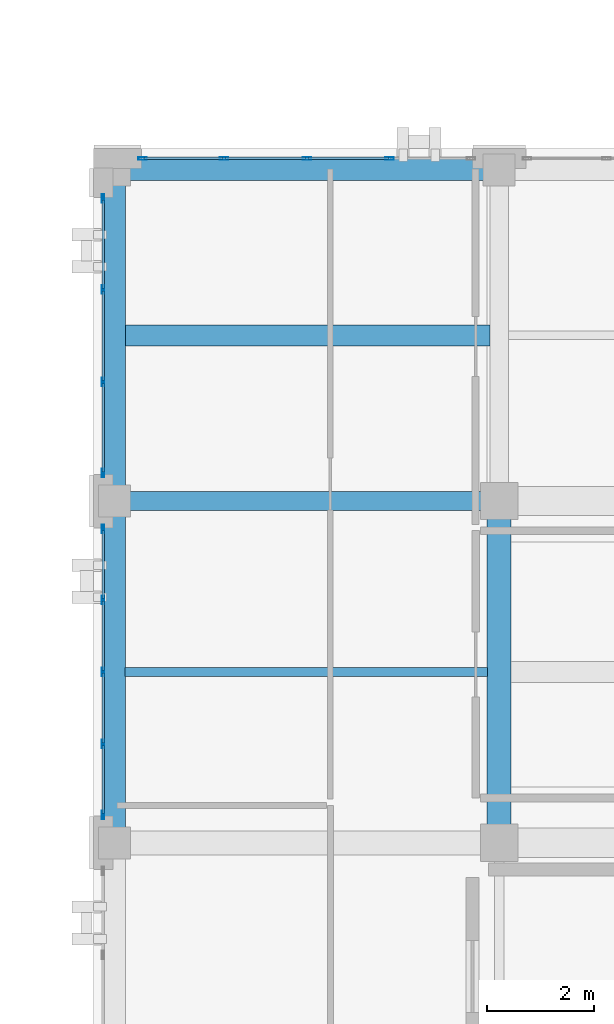
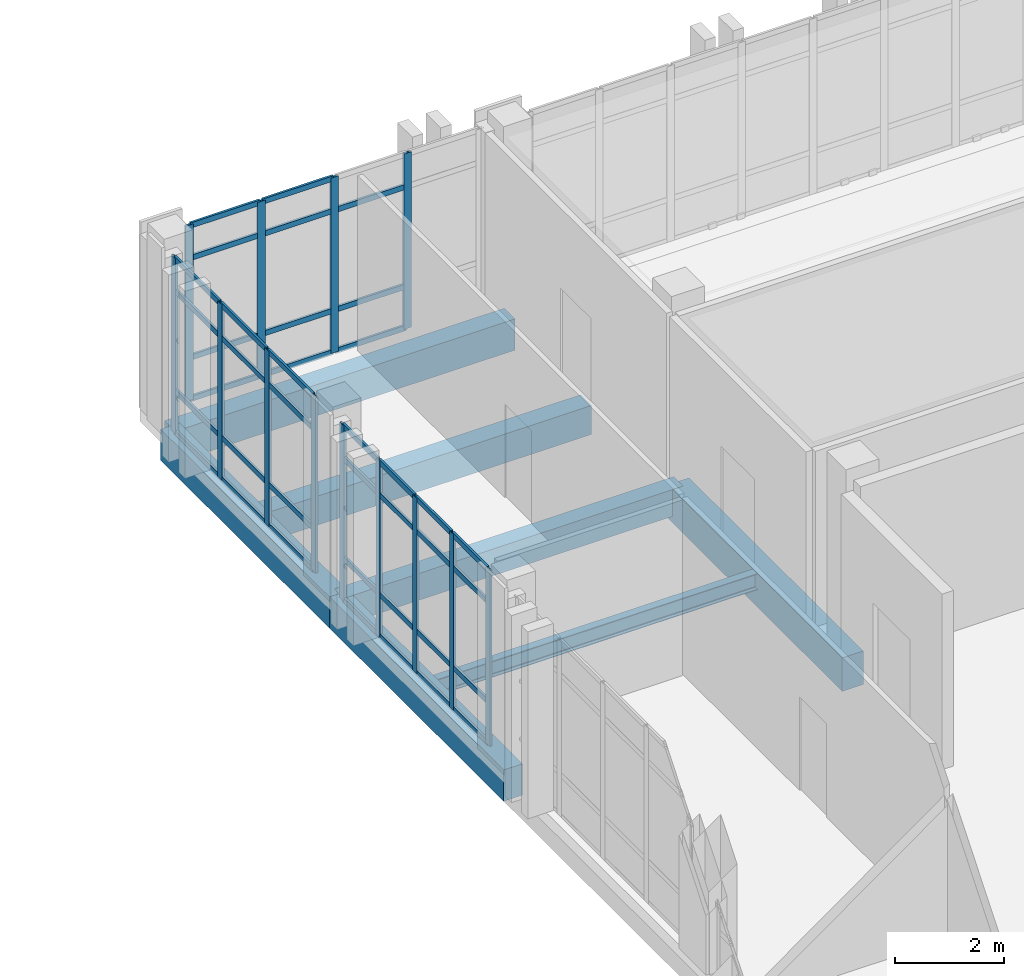
# One storey, part 38 of 77: 52 members, 7 beams, 3 elements without a shape of their own.
"""IFC4 building model written with IfcOpenShell, lengths in metres."""

import ifcopenshell
import ifcopenshell.guid

model = None  # the IFC model being written
_history = None  # IfcOwnerHistory: only IFC2X3 demands one
_inside = {}  # id of a spatial element -> (the spatial element, [elements in it])
_under = {}  # id of a project, library or spatial element -> (it, [spatial elements below it])
_declared = {}  # id of a project -> (the project, [libraries it declares])
_typed = {}  # id of a type object -> (the type object, [elements of that type])
_made_of = {}  # id of a material, layer set ... -> (it, [elements and type objects made of it])


def new_model(schema):
    """Start an empty IFC model of exactly this schema.

    Asked for "IFC4X3", IfcOpenShell would pick the latest addendum, in which some entities
    have other attributes; the version numbers below select the first issue.
    IFC2X3 requires an IfcOwnerHistory on every rooted entity: one is made here for all.
    """
    global model, _history
    if schema == "IFC4X3":
        model = ifcopenshell.file(schema_version=(4, 3, 0, 0))
    else:
        model = ifcopenshell.file(schema=schema)
    _inside.clear()
    _under.clear()
    _declared.clear()
    _typed.clear()
    _made_of.clear()
    _history = None
    if model.schema == "IFC2X3":
        org = make("IfcOrganization", Name="unknown")
        user = make(
            "IfcPersonAndOrganization",
            ThePerson=make("IfcPerson", FamilyName="unknown"),
            TheOrganization=org,
        )
        app = make(
            "IfcApplication",
            ApplicationDeveloper=org,
            Version="unknown",
            ApplicationFullName="unknown",
            ApplicationIdentifier="unknown",
        )
        _history = make(
            "IfcOwnerHistory",
            OwningUser=user,
            OwningApplication=app,
            ChangeAction="ADDED",
            CreationDate=0,
        )
    return model


def make(cls, **values):
    """One entity of the class cls with the attributes given. An attribute that is None is left unset."""
    return model.create_entity(
        cls, **{name: value for name, value in values.items() if value is not None}
    )


def rooted(cls, **values):
    """An entity with a GlobalId (a new one), such as an element, a storey or a relation."""
    return make(cls, GlobalId=ifcopenshell.guid.new(), OwnerHistory=_history, **values)


def si_unit(unit_type, name, prefix=None):
    """IfcSIUnit, for example si_unit("LENGTHUNIT", "METRE", prefix="MILLI")."""
    return make("IfcSIUnit", UnitType=unit_type, Prefix=prefix, Name=name)


def assignment(units):
    """IfcUnitAssignment: the units of a project."""
    return None if units is None else make("IfcUnitAssignment", Units=units)


def point(xyz):
    """IfcCartesianPoint."""
    return None if xyz is None else make("IfcCartesianPoint", Coordinates=xyz)


def direction(xyz):
    """IfcDirection."""
    return None if xyz is None else make("IfcDirection", DirectionRatios=xyz)


def frame(location, z_axis=None, x_axis=None):
    """IfcAxis2Placement3D, a coordinate frame: its origin and axes. An axis left out is left unset."""
    return make(
        "IfcAxis2Placement3D",
        Location=point(location),
        Axis=direction(z_axis),
        RefDirection=direction(x_axis),
    )


def frame_2d(location, x_axis=None):
    """IfcAxis2Placement2D, a coordinate frame in the plane: its origin and x axis."""
    return make(
        "IfcAxis2Placement2D", Location=point(location), RefDirection=direction(x_axis)
    )


def origin():
    """The frame at (0, 0, 0) with its axes left unset."""
    return frame((0.0, 0.0, 0.0))


def origin_2d():
    """The frame at (0, 0) in the plane with its x axis left unset."""
    return frame_2d((0.0, 0.0))


def place(relative_to, where):
    """IfcLocalPlacement: puts the frame where relative to a parent placement (None: the world)."""
    return make(
        "IfcLocalPlacement", PlacementRelTo=relative_to, RelativePlacement=where
    )


def context(
    kind, dimensions, precision=None, world=None, true_north=None, identifier=None
):
    """IfcGeometricRepresentationContext, for example the 3D "Model" context."""
    return make(
        "IfcGeometricRepresentationContext",
        ContextIdentifier=identifier,
        ContextType=kind,
        CoordinateSpaceDimension=dimensions,
        Precision=precision,
        WorldCoordinateSystem=world,
        TrueNorth=true_north,
    )


def subcontext(parent, identifier, kind, view, scale=None):
    """IfcGeometricRepresentationSubContext, for example "Body" below "Model"."""
    return make(
        "IfcGeometricRepresentationSubContext",
        ContextIdentifier=identifier,
        ContextType=kind,
        ParentContext=parent,
        TargetScale=scale,
        TargetView=view,
    )


def project(units=None, contexts=None):
    """IfcProject with its units and contexts."""
    return rooted(
        "IfcProject",
        Name="project",
        RepresentationContexts=contexts,
        UnitsInContext=assignment(units),
    )


def spatial(cls, under=None, at=None, **own):
    """A site, building, storey or space (cls), placed at a placement, below another one or the project."""
    s = rooted(cls, ObjectPlacement=at, **own)
    if under is not None:
        _under.setdefault(under.id(), (under, []))[1].append(s)
    return s


def profile(cls, at=None, kind="AREA", **sizes):
    """A parametric profile (cls). Its sizes go by their IFC names, for example OverallWidth=200.0."""
    return make(cls, ProfileType=kind, Position=at, **sizes)


def rectangle(**sizes):
    """IfcRectangleProfileDef."""
    return profile("IfcRectangleProfileDef", **sizes)


def hollow_rectangle(**sizes):
    """IfcRectangleHollowProfileDef."""
    return profile("IfcRectangleHollowProfileDef", **sizes)


def i_section(**sizes):
    """IfcIShapeProfileDef."""
    return profile("IfcIShapeProfileDef", **sizes)


def extrude(swept, where, along, depth):
    """IfcExtrudedAreaSolid: the profile swept, set in the frame where, extruded along a direction by depth."""
    return make(
        "IfcExtrudedAreaSolid",
        SweptArea=swept,
        Position=where,
        ExtrudedDirection=direction(along),
        Depth=depth,
    )


def shape(context_of_items, identifier, shape_type, items):
    """IfcShapeRepresentation: the items that make up one representation, for example the "Body"."""
    return make(
        "IfcShapeRepresentation",
        ContextOfItems=context_of_items,
        RepresentationIdentifier=identifier,
        RepresentationType=shape_type,
        Items=items,
    )


def material(Name=None, Category=None):
    """IfcMaterial."""
    return make("IfcMaterial", Name=Name, Category=Category)


def layer(
    of_material, thickness, ventilated=None, Name=None, Category=None, Priority=None
):
    """IfcMaterialLayer: one layer of a wall or slab, of a material (None: an air gap)."""
    return make(
        "IfcMaterialLayer",
        Material=of_material,
        LayerThickness=thickness,
        IsVentilated=ventilated,
        Name=Name,
        Category=Category,
        Priority=Priority,
    )


def layer_set(layers, Name=None):
    """IfcMaterialLayerSet."""
    return make("IfcMaterialLayerSet", MaterialLayers=layers, LayerSetName=Name)


def material_profile(
    of_material, cross_section, Name=None, Category=None, Priority=None
):
    """IfcMaterialProfile: a cross section and its material."""
    return make(
        "IfcMaterialProfile",
        Name=Name,
        Material=of_material,
        Profile=cross_section,
        Priority=Priority,
        Category=Category,
    )


def profile_set(profiles, Name=None, composite=None):
    """IfcMaterialProfileSet."""
    return make(
        "IfcMaterialProfileSet",
        Name=Name,
        MaterialProfiles=profiles,
        CompositeProfile=composite,
    )


def made_of(thing, what):
    """Note that an element or type object is made of a material, layer set ...; save() writes the relation."""
    if what is not None:
        _made_of.setdefault(what.id(), (what, []))[1].append(thing)
    return thing


def type_object(cls, material=None, **own):
    """A type object (cls), such as IfcWallType, which elements share."""
    return made_of(rooted(cls, **own), material)


def element(
    cls,
    number,
    at=None,
    inside=None,
    cuts=None,
    type_object=None,
    material=None,
    context=None,
    identifier="Body",
    shape_type=None,
    held_by="IfcProductDefinitionShape",
    body=None,
    shapes=None,
    **own,
):
    """One element of the class cls, such as IfcWall. Its Tag is "e" and its number.

    at: its placement. inside: the storey or other place that contains it. cuts: it is an
    opening in that element (IfcRelVoidsElement). A single representation is given by context,
    identifier, shape_type and body (its items); several are given by shapes. held_by: the class
    of the entity that holds the representations. save() writes the other relations.
    """
    e = rooted(cls, Tag="e%d" % number, ObjectPlacement=at, **own)
    if body is not None:
        shapes = [shape(context, identifier, shape_type, body)]
    if shapes is not None:
        e.Representation = make(held_by, Representations=shapes)
    if inside is not None:
        _inside.setdefault(inside.id(), (inside, []))[1].append(e)
    if cuts is not None:
        rooted(
            "IfcRelVoidsElement", RelatingBuildingElement=cuts, RelatedOpeningElement=e
        )
    if type_object is not None:
        _typed.setdefault(type_object.id(), (type_object, []))[1].append(e)
    return made_of(e, material)


def aggregate(whole, parts):
    """IfcRelAggregates: a whole, such as a stair, and the parts it consists of."""
    return rooted("IfcRelAggregates", RelatingObject=whole, RelatedObjects=parts)


def save(model, path):
    """Write the relations noted so far, then the file.

    IfcRelAggregates (storeys below a building ...), IfcRelContainedInSpatialStructure (elements
    in a storey), IfcRelDefinesByType, IfcRelAssociatesMaterial and IfcRelDeclares: one each for
    every whole, place, type object, material and project.
    """
    for whole, parts in _under.values():
        aggregate(whole, parts)
    for where, things in _inside.values():
        rooted(
            "IfcRelContainedInSpatialStructure",
            RelatedElements=things,
            RelatingStructure=where,
        )
    for kind, things in _typed.values():
        rooted("IfcRelDefinesByType", RelatedObjects=things, RelatingType=kind)
    for what, things in _made_of.values():
        rooted("IfcRelAssociatesMaterial", RelatedObjects=things, RelatingMaterial=what)
    for by, libraries in _declared.values():
        rooted("IfcRelDeclares", RelatingContext=by, RelatedDefinitions=libraries)
    model.write(path)


model = new_model("IFC4")

# Units and contexts
model_context = context("Model", 3, precision=1e-05, world=origin(), true_north=direction((0.0, 1.0)))
body_context = subcontext(model_context, "Body", "Model", "MODEL_VIEW")
ifc_project = project(units=[si_unit("LENGTHUNIT", "METRE"), si_unit("AREAUNIT", "SQUARE_METRE"), si_unit("VOLUMEUNIT", "CUBIC_METRE"), si_unit("PLANEANGLEUNIT", "RADIAN"), si_unit("MASSUNIT", "GRAM", prefix="KILO")], contexts=[model_context])

# Site, building, storey
site_placement = place(None, origin())
site = spatial("IfcSite", under=ifc_project, at=site_placement, CompositionType="ELEMENT")
building_placement = place(site_placement, origin())
building = spatial("IfcBuilding", under=site, at=building_placement, Name="Qalavern Law Courts", CompositionType="ELEMENT")
storey_placement = place(building_placement, frame((0.0, 0.0, 27.0)))
storey = spatial("IfcBuildingStorey", under=building, at=storey_placement, Name="L06", CompositionType="ELEMENT", Elevation=27.0)

# Curtain wall, members
ifc_material_1 = material(Name="Anodised aluminium and insulated glazing", Category="aluminium")
ifc_layer = layer(ifc_material_1, 0.159912109375)
ifc_layer_set = layer_set([ifc_layer], Name="Anodised aluminium and insulated glazing")
curtain_wall_type = type_object("IfcCurtainWallType", Name="ENV-CW-CHAMB", PredefinedType="USERDEFINED", material=ifc_layer_set)
curtain_wall_1_placement = place(storey_placement, origin())
curtain_wall_1 = element("IfcCurtainWall", 1, at=curtain_wall_1_placement, inside=storey, type_object=curtain_wall_type, Name="V4 unitised curtain wall L06 north 2", ObjectType="UNITISED CURTAIN WALL", PredefinedType="USERDEFINED")
ifc_material_2 = material(Name="Anodised aluminium", Category="aluminium")
ifc_material_profile_1 = material_profile(ifc_material_2, hollow_rectangle(XDim=0.048095703125, YDim=0.159912109375, WallThickness=0.00390625, at=origin_2d()), Name="ALU MULLION 48x160")
ifc_profile_set_1 = profile_set([ifc_material_profile_1], Name="Anodised aluminium")
member_type_1 = type_object("IfcMemberType", Name="ENV-CWM-48x160", PredefinedType="MULLION", material=ifc_profile_set_1)
member_1_placement = place(storey_placement, frame((89.75, 85.614990234375, 0.0), z_axis=(0.0, 0.0, 1.0), x_axis=(0.0, -1.0, 0.0)))
member_1 = element("IfcMember", 2, at=member_1_placement, type_object=member_type_1, Name="CW-04 mullion 2", PredefinedType="MULLION", context=body_context, shape_type="SweptSolid", body=[
    extrude(hollow_rectangle(XDim=0.048095703125, YDim=0.159912109375, WallThickness=0.00390625, at=origin_2d()), origin(), (0.0, 0.0, 1.0), 3.93505859375),
])
member_2_placement = place(storey_placement, frame((88.199951171875, 85.614990234375, 0.0), z_axis=(0.0, 0.0, 1.0), x_axis=(0.0, -1.0, 0.0)))
member_2 = element("IfcMember", 3, at=member_2_placement, type_object=member_type_1, Name="CW-04 mullion 3", PredefinedType="MULLION", context=body_context, shape_type="SweptSolid", body=[
    extrude(hollow_rectangle(XDim=0.048095703125, YDim=0.159912109375, WallThickness=0.00390625, at=origin_2d()), origin(), (0.0, 0.0, 1.0), 3.93505859375),
])
member_3_placement = place(storey_placement, frame((86.64990234375, 85.614990234375, 0.0), z_axis=(0.0, 0.0, 1.0), x_axis=(0.0, -1.0, 0.0)))
member_3 = element("IfcMember", 4, at=member_3_placement, type_object=member_type_1, Name="CW-04 mullion 4", PredefinedType="MULLION", context=body_context, shape_type="SweptSolid", body=[
    extrude(hollow_rectangle(XDim=0.048095703125, YDim=0.159912109375, WallThickness=0.00390625, at=origin_2d()), origin(), (0.0, 0.0, 1.0), 3.93505859375),
])
member_4_placement = place(storey_placement, frame((85.1240234375, 85.614990234375, 0.0), z_axis=(0.0, 0.0, 1.0), x_axis=(0.0, -1.0, 0.0)))
member_4 = element("IfcMember", 5, at=member_4_placement, type_object=member_type_1, Name="CW-04 mullion 5", PredefinedType="MULLION", context=body_context, shape_type="SweptSolid", body=[
    extrude(hollow_rectangle(XDim=0.048095703125, YDim=0.159912109375, WallThickness=0.00390625, at=origin_2d()), origin(), (0.0, 0.0, 1.0), 3.93505859375),
])

curtain_wall_2_placement = place(storey_placement, origin())
curtain_wall_2 = element("IfcCurtainWall", 6, at=curtain_wall_2_placement, inside=storey, type_object=curtain_wall_type, Name="V4 unitised curtain wall L06 west 1", ObjectType="UNITISED CURTAIN WALL", PredefinedType="USERDEFINED")
member_5_placement = place(storey_placement, frame((84.385009765625, 84.861083984375, 0.0), z_axis=(0.0, 0.0, 1.0), x_axis=(1.0, 0.0, 0.0)))
member_5 = element("IfcMember", 7, at=member_5_placement, type_object=member_type_1, Name="CW-04 mullion 1", PredefinedType="MULLION", context=body_context, shape_type="SweptSolid", body=[
    extrude(hollow_rectangle(XDim=0.048095703125, YDim=0.159912109375, WallThickness=0.00390625, at=origin_2d()), origin(), (0.0, 0.0, 1.0), 3.93505859375),
])
member_6_placement = place(storey_placement, frame((84.385009765625, 83.15673828125, 0.0), z_axis=(0.0, 0.0, 1.0), x_axis=(1.0, 0.0, 0.0)))
member_6 = element("IfcMember", 8, at=member_6_placement, type_object=member_type_1, Name="CW-04 mullion 2", PredefinedType="MULLION", context=body_context, shape_type="SweptSolid", body=[
    extrude(hollow_rectangle(XDim=0.048095703125, YDim=0.159912109375, WallThickness=0.00390625, at=origin_2d()), origin(), (0.0, 0.0, 1.0), 3.93505859375),
])
member_7_placement = place(storey_placement, frame((84.385009765625, 81.42822265625, 0.0), z_axis=(0.0, 0.0, 1.0), x_axis=(1.0, 0.0, 0.0)))
member_7 = element("IfcMember", 9, at=member_7_placement, type_object=member_type_1, Name="CW-04 mullion 3", PredefinedType="MULLION", context=body_context, shape_type="SweptSolid", body=[
    extrude(hollow_rectangle(XDim=0.048095703125, YDim=0.159912109375, WallThickness=0.00390625, at=origin_2d()), origin(), (0.0, 0.0, 1.0), 3.93505859375),
])
member_8_placement = place(storey_placement, frame((84.385009765625, 79.72412109375, 0.0), z_axis=(0.0, 0.0, 1.0), x_axis=(1.0, 0.0, 0.0)))
member_8 = element("IfcMember", 10, at=member_8_placement, type_object=member_type_1, Name="CW-04 mullion 4", PredefinedType="MULLION", context=body_context, shape_type="SweptSolid", body=[
    extrude(hollow_rectangle(XDim=0.048095703125, YDim=0.159912109375, WallThickness=0.00390625, at=origin_2d()), origin(), (0.0, 0.0, 1.0), 3.93505859375),
])

curtain_wall_3_placement = place(storey_placement, origin())
curtain_wall_3 = element("IfcCurtainWall", 11, at=curtain_wall_3_placement, inside=storey, type_object=curtain_wall_type, Name="V4 unitised curtain wall L06 west 2", ObjectType="UNITISED CURTAIN WALL", PredefinedType="USERDEFINED")
member_9_placement = place(storey_placement, frame((84.385009765625, 78.676025390625, 0.0), z_axis=(0.0, 0.0, 1.0), x_axis=(1.0, 0.0, 0.0)))
member_9 = element("IfcMember", 12, at=member_9_placement, type_object=member_type_1, Name="CW-04 mullion 1", PredefinedType="MULLION", context=body_context, shape_type="SweptSolid", body=[
    extrude(hollow_rectangle(XDim=0.048095703125, YDim=0.159912109375, WallThickness=0.00390625, at=origin_2d()), origin(), (0.0, 0.0, 1.0), 3.93505859375),
])
member_10_placement = place(storey_placement, frame((84.385009765625, 77.35009765625, 0.0), z_axis=(0.0, 0.0, 1.0), x_axis=(1.0, 0.0, 0.0)))
member_10 = element("IfcMember", 13, at=member_10_placement, type_object=member_type_1, Name="CW-04 mullion 2", PredefinedType="MULLION", context=body_context, shape_type="SweptSolid", body=[
    extrude(hollow_rectangle(XDim=0.048095703125, YDim=0.159912109375, WallThickness=0.00390625, at=origin_2d()), origin(), (0.0, 0.0, 1.0), 3.93505859375),
])
member_11_placement = place(storey_placement, frame((84.385009765625, 76.0, 0.0), z_axis=(0.0, 0.0, 1.0), x_axis=(1.0, 0.0, 0.0)))
member_11 = element("IfcMember", 14, at=member_11_placement, type_object=member_type_1, Name="CW-04 mullion 3", PredefinedType="MULLION", context=body_context, shape_type="SweptSolid", body=[
    extrude(hollow_rectangle(XDim=0.048095703125, YDim=0.159912109375, WallThickness=0.00390625, at=origin_2d()), origin(), (0.0, 0.0, 1.0), 3.93505859375),
])
member_12_placement = place(storey_placement, frame((84.385009765625, 74.64990234375, 0.0), z_axis=(0.0, 0.0, 1.0), x_axis=(1.0, 0.0, 0.0)))
member_12 = element("IfcMember", 15, at=member_12_placement, type_object=member_type_1, Name="CW-04 mullion 4", PredefinedType="MULLION", context=body_context, shape_type="SweptSolid", body=[
    extrude(hollow_rectangle(XDim=0.048095703125, YDim=0.159912109375, WallThickness=0.00390625, at=origin_2d()), origin(), (0.0, 0.0, 1.0), 3.93505859375),
])
member_13_placement = place(storey_placement, frame((84.385009765625, 73.323974609375, 0.0), z_axis=(0.0, 0.0, 1.0), x_axis=(1.0, 0.0, 0.0)))
member_13 = element("IfcMember", 16, at=member_13_placement, type_object=member_type_1, Name="CW-04 mullion 5", PredefinedType="MULLION", context=body_context, shape_type="SweptSolid", body=[
    extrude(hollow_rectangle(XDim=0.048095703125, YDim=0.159912109375, WallThickness=0.00390625, at=origin_2d()), origin(), (0.0, 0.0, 1.0), 3.93505859375),
])

# Member
ifc_material_profile_2 = material_profile(ifc_material_2, hollow_rectangle(XDim=0.048095703125, YDim=0.1201171875, WallThickness=0.00390625, at=origin_2d()), Name="ALU TRANSOM 48x120")
ifc_profile_set_2 = profile_set([ifc_material_profile_2], Name="Anodised aluminium")
member_type_2 = type_object("IfcMemberType", Name="ENV-CWT-48x120", PredefinedType="USERDEFINED", material=ifc_profile_set_2)
member_14_placement = place(storey_placement, frame((89.72607421875, 85.614990234375, 0.02392578125), z_axis=(-1.0, 0.0, 0.0), x_axis=(0.0, -1.0, 0.0)))
member_14 = element("IfcMember", 17, at=member_14_placement, type_object=member_type_2, Name="CW-04 transom 2.1", ObjectType="TRANSOM", PredefinedType="USERDEFINED", context=body_context, shape_type="SweptSolid", body=[
    extrude(hollow_rectangle(XDim=0.048095703125, YDim=0.1201171875, WallThickness=0.00390625, at=origin_2d()), origin(), (0.0, 0.0, 1.0), 1.501953125),
])

member_15_placement = place(storey_placement, frame((89.72607421875, 85.614990234375, 0.949951171875), z_axis=(-1.0, 0.0, 0.0), x_axis=(0.0, -1.0, 0.0)))
member_15 = element("IfcMember", 18, at=member_15_placement, type_object=member_type_2, Name="CW-04 transom 2.2", ObjectType="TRANSOM", PredefinedType="USERDEFINED", context=body_context, shape_type="SweptSolid", body=[
    extrude(hollow_rectangle(XDim=0.048095703125, YDim=0.1201171875, WallThickness=0.00390625, at=origin_2d()), origin(), (0.0, 0.0, 1.0), 1.501953125),
])

member_16_placement = place(storey_placement, frame((89.72607421875, 85.614990234375, 3.18505859375), z_axis=(-1.0, 0.0, 0.0), x_axis=(0.0, -1.0, 0.0)))
member_16 = element("IfcMember", 19, at=member_16_placement, type_object=member_type_2, Name="CW-04 transom 2.3", ObjectType="TRANSOM", PredefinedType="USERDEFINED", context=body_context, shape_type="SweptSolid", body=[
    extrude(hollow_rectangle(XDim=0.048095703125, YDim=0.1201171875, WallThickness=0.00390625, at=origin_2d()), origin(), (0.0, 0.0, 1.0), 1.501953125),
])

member_17_placement = place(storey_placement, frame((88.176025390625, 85.614990234375, 0.02392578125), z_axis=(-1.0, 0.0, 0.0), x_axis=(0.0, -1.0, 0.0)))
member_17 = element("IfcMember", 20, at=member_17_placement, type_object=member_type_2, Name="CW-04 transom 3.1", ObjectType="TRANSOM", PredefinedType="USERDEFINED", context=body_context, shape_type="SweptSolid", body=[
    extrude(hollow_rectangle(XDim=0.048095703125, YDim=0.1201171875, WallThickness=0.00390625, at=origin_2d()), origin(), (0.0, 0.0, 1.0), 1.501953125),
])

member_18_placement = place(storey_placement, frame((88.176025390625, 85.614990234375, 0.949951171875), z_axis=(-1.0, 0.0, 0.0), x_axis=(0.0, -1.0, 0.0)))
member_18 = element("IfcMember", 21, at=member_18_placement, type_object=member_type_2, Name="CW-04 transom 3.2", ObjectType="TRANSOM", PredefinedType="USERDEFINED", context=body_context, shape_type="SweptSolid", body=[
    extrude(hollow_rectangle(XDim=0.048095703125, YDim=0.1201171875, WallThickness=0.00390625, at=origin_2d()), origin(), (0.0, 0.0, 1.0), 1.501953125),
])

member_19_placement = place(storey_placement, frame((88.176025390625, 85.614990234375, 3.18505859375), z_axis=(-1.0, 0.0, 0.0), x_axis=(0.0, -1.0, 0.0)))
member_19 = element("IfcMember", 22, at=member_19_placement, type_object=member_type_2, Name="CW-04 transom 3.3", ObjectType="TRANSOM", PredefinedType="USERDEFINED", context=body_context, shape_type="SweptSolid", body=[
    extrude(hollow_rectangle(XDim=0.048095703125, YDim=0.1201171875, WallThickness=0.00390625, at=origin_2d()), origin(), (0.0, 0.0, 1.0), 1.501953125),
])

member_20_placement = place(storey_placement, frame((88.176025390625, 85.614990234375, 3.910888671875), z_axis=(-1.0, 0.0, 0.0), x_axis=(0.0, -1.0, 0.0)))
member_20 = element("IfcMember", 23, at=member_20_placement, type_object=member_type_2, Name="CW-04 transom 3.4", ObjectType="TRANSOM", PredefinedType="USERDEFINED", context=body_context, shape_type="SweptSolid", body=[
    extrude(hollow_rectangle(XDim=0.048095703125, YDim=0.1201171875, WallThickness=0.00390625, at=origin_2d()), origin(), (0.0, 0.0, 1.0), 1.501953125),
])

member_21_placement = place(storey_placement, frame((86.6259765625, 85.614990234375, 0.02392578125), z_axis=(-1.0, 0.0, 0.0), x_axis=(0.0, -1.0, 0.0)))
member_21 = element("IfcMember", 24, at=member_21_placement, type_object=member_type_2, Name="CW-04 transom 4.1", ObjectType="TRANSOM", PredefinedType="USERDEFINED", context=body_context, shape_type="SweptSolid", body=[
    extrude(hollow_rectangle(XDim=0.048095703125, YDim=0.1201171875, WallThickness=0.00390625, at=origin_2d()), origin(), (0.0, 0.0, 1.0), 1.47802734375),
])

member_22_placement = place(storey_placement, frame((86.6259765625, 85.614990234375, 0.949951171875), z_axis=(-1.0, 0.0, 0.0), x_axis=(0.0, -1.0, 0.0)))
member_22 = element("IfcMember", 25, at=member_22_placement, type_object=member_type_2, Name="CW-04 transom 4.2", ObjectType="TRANSOM", PredefinedType="USERDEFINED", context=body_context, shape_type="SweptSolid", body=[
    extrude(hollow_rectangle(XDim=0.048095703125, YDim=0.1201171875, WallThickness=0.00390625, at=origin_2d()), origin(), (0.0, 0.0, 1.0), 1.47802734375),
])

member_23_placement = place(storey_placement, frame((86.6259765625, 85.614990234375, 3.18505859375), z_axis=(-1.0, 0.0, 0.0), x_axis=(0.0, -1.0, 0.0)))
member_23 = element("IfcMember", 26, at=member_23_placement, type_object=member_type_2, Name="CW-04 transom 4.3", ObjectType="TRANSOM", PredefinedType="USERDEFINED", context=body_context, shape_type="SweptSolid", body=[
    extrude(hollow_rectangle(XDim=0.048095703125, YDim=0.1201171875, WallThickness=0.00390625, at=origin_2d()), origin(), (0.0, 0.0, 1.0), 1.47802734375),
])

member_24_placement = place(storey_placement, frame((86.6259765625, 85.614990234375, 3.910888671875), z_axis=(-1.0, 0.0, 0.0), x_axis=(0.0, -1.0, 0.0)))
member_24 = element("IfcMember", 27, at=member_24_placement, type_object=member_type_2, Name="CW-04 transom 4.4", ObjectType="TRANSOM", PredefinedType="USERDEFINED", context=body_context, shape_type="SweptSolid", body=[
    extrude(hollow_rectangle(XDim=0.048095703125, YDim=0.1201171875, WallThickness=0.00390625, at=origin_2d()), origin(), (0.0, 0.0, 1.0), 1.47802734375),
])

aggregate(curtain_wall_1, [member_1, member_2, member_3, member_4, member_14, member_15, member_16, member_17, member_18, member_19, member_20, member_21, member_22, member_23, member_24])

member_25_placement = place(storey_placement, frame((84.385009765625, 84.8369140625, 0.02392578125), z_axis=(0.0, -1.0, 0.0), x_axis=(1.0, 0.0, 0.0)))
member_25 = element("IfcMember", 28, at=member_25_placement, type_object=member_type_2, Name="CW-04 transom 1.1", ObjectType="TRANSOM", PredefinedType="USERDEFINED", context=body_context, shape_type="SweptSolid", body=[
    extrude(hollow_rectangle(XDim=0.048095703125, YDim=0.1201171875, WallThickness=0.00390625, at=origin_2d()), origin(), (0.0, 0.0, 1.0), 1.65625),
])

member_26_placement = place(storey_placement, frame((84.385009765625, 84.8369140625, 0.949951171875), z_axis=(0.0, -1.0, 0.0), x_axis=(1.0, 0.0, 0.0)))
member_26 = element("IfcMember", 29, at=member_26_placement, type_object=member_type_2, Name="CW-04 transom 1.2", ObjectType="TRANSOM", PredefinedType="USERDEFINED", context=body_context, shape_type="SweptSolid", body=[
    extrude(hollow_rectangle(XDim=0.048095703125, YDim=0.1201171875, WallThickness=0.00390625, at=origin_2d()), origin(), (0.0, 0.0, 1.0), 1.65625),
])

member_27_placement = place(storey_placement, frame((84.385009765625, 84.8369140625, 3.18505859375), z_axis=(0.0, -1.0, 0.0), x_axis=(1.0, 0.0, 0.0)))
member_27 = element("IfcMember", 30, at=member_27_placement, type_object=member_type_2, Name="CW-04 transom 1.3", ObjectType="TRANSOM", PredefinedType="USERDEFINED", context=body_context, shape_type="SweptSolid", body=[
    extrude(hollow_rectangle(XDim=0.048095703125, YDim=0.1201171875, WallThickness=0.00390625, at=origin_2d()), origin(), (0.0, 0.0, 1.0), 1.65625),
])

member_28_placement = place(storey_placement, frame((84.385009765625, 84.8369140625, 3.910888671875), z_axis=(0.0, -1.0, 0.0), x_axis=(1.0, 0.0, 0.0)))
member_28 = element("IfcMember", 31, at=member_28_placement, type_object=member_type_2, Name="CW-04 transom 1.4", ObjectType="TRANSOM", PredefinedType="USERDEFINED", context=body_context, shape_type="SweptSolid", body=[
    extrude(hollow_rectangle(XDim=0.048095703125, YDim=0.1201171875, WallThickness=0.00390625, at=origin_2d()), origin(), (0.0, 0.0, 1.0), 1.65625),
])

member_29_placement = place(storey_placement, frame((84.385009765625, 83.132568359375, 0.02392578125), z_axis=(0.0, -1.0, 0.0), x_axis=(1.0, 0.0, 0.0)))
member_29 = element("IfcMember", 32, at=member_29_placement, type_object=member_type_2, Name="CW-04 transom 2.1", ObjectType="TRANSOM", PredefinedType="USERDEFINED", context=body_context, shape_type="SweptSolid", body=[
    extrude(hollow_rectangle(XDim=0.048095703125, YDim=0.1201171875, WallThickness=0.00390625, at=origin_2d()), origin(), (0.0, 0.0, 1.0), 1.68017578125),
])

member_30_placement = place(storey_placement, frame((84.385009765625, 83.132568359375, 0.949951171875), z_axis=(0.0, -1.0, 0.0), x_axis=(1.0, 0.0, 0.0)))
member_30 = element("IfcMember", 33, at=member_30_placement, type_object=member_type_2, Name="CW-04 transom 2.2", ObjectType="TRANSOM", PredefinedType="USERDEFINED", context=body_context, shape_type="SweptSolid", body=[
    extrude(hollow_rectangle(XDim=0.048095703125, YDim=0.1201171875, WallThickness=0.00390625, at=origin_2d()), origin(), (0.0, 0.0, 1.0), 1.68017578125),
])

member_31_placement = place(storey_placement, frame((84.385009765625, 83.132568359375, 3.18505859375), z_axis=(0.0, -1.0, 0.0), x_axis=(1.0, 0.0, 0.0)))
member_31 = element("IfcMember", 34, at=member_31_placement, type_object=member_type_2, Name="CW-04 transom 2.3", ObjectType="TRANSOM", PredefinedType="USERDEFINED", context=body_context, shape_type="SweptSolid", body=[
    extrude(hollow_rectangle(XDim=0.048095703125, YDim=0.1201171875, WallThickness=0.00390625, at=origin_2d()), origin(), (0.0, 0.0, 1.0), 1.68017578125),
])

member_32_placement = place(storey_placement, frame((84.385009765625, 83.132568359375, 3.910888671875), z_axis=(0.0, -1.0, 0.0), x_axis=(1.0, 0.0, 0.0)))
member_32 = element("IfcMember", 35, at=member_32_placement, type_object=member_type_2, Name="CW-04 transom 2.4", ObjectType="TRANSOM", PredefinedType="USERDEFINED", context=body_context, shape_type="SweptSolid", body=[
    extrude(hollow_rectangle(XDim=0.048095703125, YDim=0.1201171875, WallThickness=0.00390625, at=origin_2d()), origin(), (0.0, 0.0, 1.0), 1.68017578125),
])

member_33_placement = place(storey_placement, frame((84.385009765625, 81.404296875, 0.02392578125), z_axis=(0.0, -1.0, 0.0), x_axis=(1.0, 0.0, 0.0)))
member_33 = element("IfcMember", 36, at=member_33_placement, type_object=member_type_2, Name="CW-04 transom 3.1", ObjectType="TRANSOM", PredefinedType="USERDEFINED", context=body_context, shape_type="SweptSolid", body=[
    extrude(hollow_rectangle(XDim=0.048095703125, YDim=0.1201171875, WallThickness=0.00390625, at=origin_2d()), origin(), (0.0, 0.0, 1.0), 1.65625),
])

member_34_placement = place(storey_placement, frame((84.385009765625, 81.404296875, 0.949951171875), z_axis=(0.0, -1.0, 0.0), x_axis=(1.0, 0.0, 0.0)))
member_34 = element("IfcMember", 37, at=member_34_placement, type_object=member_type_2, Name="CW-04 transom 3.2", ObjectType="TRANSOM", PredefinedType="USERDEFINED", context=body_context, shape_type="SweptSolid", body=[
    extrude(hollow_rectangle(XDim=0.048095703125, YDim=0.1201171875, WallThickness=0.00390625, at=origin_2d()), origin(), (0.0, 0.0, 1.0), 1.65625),
])

member_35_placement = place(storey_placement, frame((84.385009765625, 81.404296875, 3.18505859375), z_axis=(0.0, -1.0, 0.0), x_axis=(1.0, 0.0, 0.0)))
member_35 = element("IfcMember", 38, at=member_35_placement, type_object=member_type_2, Name="CW-04 transom 3.3", ObjectType="TRANSOM", PredefinedType="USERDEFINED", context=body_context, shape_type="SweptSolid", body=[
    extrude(hollow_rectangle(XDim=0.048095703125, YDim=0.1201171875, WallThickness=0.00390625, at=origin_2d()), origin(), (0.0, 0.0, 1.0), 1.65625),
])

member_36_placement = place(storey_placement, frame((84.385009765625, 81.404296875, 3.910888671875), z_axis=(0.0, -1.0, 0.0), x_axis=(1.0, 0.0, 0.0)))
member_36 = element("IfcMember", 39, at=member_36_placement, type_object=member_type_2, Name="CW-04 transom 3.4", ObjectType="TRANSOM", PredefinedType="USERDEFINED", context=body_context, shape_type="SweptSolid", body=[
    extrude(hollow_rectangle(XDim=0.048095703125, YDim=0.1201171875, WallThickness=0.00390625, at=origin_2d()), origin(), (0.0, 0.0, 1.0), 1.65625),
])

aggregate(curtain_wall_2, [member_5, member_6, member_7, member_8, member_25, member_26, member_27, member_28, member_29, member_30, member_31, member_32, member_33, member_34, member_35, member_36])

member_37_placement = place(storey_placement, frame((84.385009765625, 78.652099609375, 0.02392578125), z_axis=(0.0, -1.0, 0.0), x_axis=(1.0, 0.0, 0.0)))
member_37 = element("IfcMember", 40, at=member_37_placement, type_object=member_type_2, Name="CW-04 transom 1.1", ObjectType="TRANSOM", PredefinedType="USERDEFINED", context=body_context, shape_type="SweptSolid", body=[
    extrude(hollow_rectangle(XDim=0.048095703125, YDim=0.1201171875, WallThickness=0.00390625, at=origin_2d()), origin(), (0.0, 0.0, 1.0), 1.278076171875),
])

member_38_placement = place(storey_placement, frame((84.385009765625, 78.652099609375, 0.949951171875), z_axis=(0.0, -1.0, 0.0), x_axis=(1.0, 0.0, 0.0)))
member_38 = element("IfcMember", 41, at=member_38_placement, type_object=member_type_2, Name="CW-04 transom 1.2", ObjectType="TRANSOM", PredefinedType="USERDEFINED", context=body_context, shape_type="SweptSolid", body=[
    extrude(hollow_rectangle(XDim=0.048095703125, YDim=0.1201171875, WallThickness=0.00390625, at=origin_2d()), origin(), (0.0, 0.0, 1.0), 1.278076171875),
])

member_39_placement = place(storey_placement, frame((84.385009765625, 78.652099609375, 3.18505859375), z_axis=(0.0, -1.0, 0.0), x_axis=(1.0, 0.0, 0.0)))
member_39 = element("IfcMember", 42, at=member_39_placement, type_object=member_type_2, Name="CW-04 transom 1.3", ObjectType="TRANSOM", PredefinedType="USERDEFINED", context=body_context, shape_type="SweptSolid", body=[
    extrude(hollow_rectangle(XDim=0.048095703125, YDim=0.1201171875, WallThickness=0.00390625, at=origin_2d()), origin(), (0.0, 0.0, 1.0), 1.278076171875),
])

member_40_placement = place(storey_placement, frame((84.385009765625, 78.652099609375, 3.910888671875), z_axis=(0.0, -1.0, 0.0), x_axis=(1.0, 0.0, 0.0)))
member_40 = element("IfcMember", 43, at=member_40_placement, type_object=member_type_2, Name="CW-04 transom 1.4", ObjectType="TRANSOM", PredefinedType="USERDEFINED", context=body_context, shape_type="SweptSolid", body=[
    extrude(hollow_rectangle(XDim=0.048095703125, YDim=0.1201171875, WallThickness=0.00390625, at=origin_2d()), origin(), (0.0, 0.0, 1.0), 1.278076171875),
])

member_41_placement = place(storey_placement, frame((84.385009765625, 77.325927734375, 0.02392578125), z_axis=(0.0, -1.0, 0.0), x_axis=(1.0, 0.0, 0.0)))
member_41 = element("IfcMember", 44, at=member_41_placement, type_object=member_type_2, Name="CW-04 transom 2.1", ObjectType="TRANSOM", PredefinedType="USERDEFINED", context=body_context, shape_type="SweptSolid", body=[
    extrude(hollow_rectangle(XDim=0.048095703125, YDim=0.1201171875, WallThickness=0.00390625, at=origin_2d()), origin(), (0.0, 0.0, 1.0), 1.302001953125),
])

member_42_placement = place(storey_placement, frame((84.385009765625, 77.325927734375, 0.949951171875), z_axis=(0.0, -1.0, 0.0), x_axis=(1.0, 0.0, 0.0)))
member_42 = element("IfcMember", 45, at=member_42_placement, type_object=member_type_2, Name="CW-04 transom 2.2", ObjectType="TRANSOM", PredefinedType="USERDEFINED", context=body_context, shape_type="SweptSolid", body=[
    extrude(hollow_rectangle(XDim=0.048095703125, YDim=0.1201171875, WallThickness=0.00390625, at=origin_2d()), origin(), (0.0, 0.0, 1.0), 1.302001953125),
])

member_43_placement = place(storey_placement, frame((84.385009765625, 77.325927734375, 3.18505859375), z_axis=(0.0, -1.0, 0.0), x_axis=(1.0, 0.0, 0.0)))
member_43 = element("IfcMember", 46, at=member_43_placement, type_object=member_type_2, Name="CW-04 transom 2.3", ObjectType="TRANSOM", PredefinedType="USERDEFINED", context=body_context, shape_type="SweptSolid", body=[
    extrude(hollow_rectangle(XDim=0.048095703125, YDim=0.1201171875, WallThickness=0.00390625, at=origin_2d()), origin(), (0.0, 0.0, 1.0), 1.302001953125),
])

member_44_placement = place(storey_placement, frame((84.385009765625, 77.325927734375, 3.910888671875), z_axis=(0.0, -1.0, 0.0), x_axis=(1.0, 0.0, 0.0)))
member_44 = element("IfcMember", 47, at=member_44_placement, type_object=member_type_2, Name="CW-04 transom 2.4", ObjectType="TRANSOM", PredefinedType="USERDEFINED", context=body_context, shape_type="SweptSolid", body=[
    extrude(hollow_rectangle(XDim=0.048095703125, YDim=0.1201171875, WallThickness=0.00390625, at=origin_2d()), origin(), (0.0, 0.0, 1.0), 1.302001953125),
])

member_45_placement = place(storey_placement, frame((84.385009765625, 75.97607421875, 0.02392578125), z_axis=(0.0, -1.0, 0.0), x_axis=(1.0, 0.0, 0.0)))
member_45 = element("IfcMember", 48, at=member_45_placement, type_object=member_type_2, Name="CW-04 transom 3.1", ObjectType="TRANSOM", PredefinedType="USERDEFINED", context=body_context, shape_type="SweptSolid", body=[
    extrude(hollow_rectangle(XDim=0.048095703125, YDim=0.1201171875, WallThickness=0.00390625, at=origin_2d()), origin(), (0.0, 0.0, 1.0), 1.302001953125),
])

member_46_placement = place(storey_placement, frame((84.385009765625, 75.97607421875, 0.949951171875), z_axis=(0.0, -1.0, 0.0), x_axis=(1.0, 0.0, 0.0)))
member_46 = element("IfcMember", 49, at=member_46_placement, type_object=member_type_2, Name="CW-04 transom 3.2", ObjectType="TRANSOM", PredefinedType="USERDEFINED", context=body_context, shape_type="SweptSolid", body=[
    extrude(hollow_rectangle(XDim=0.048095703125, YDim=0.1201171875, WallThickness=0.00390625, at=origin_2d()), origin(), (0.0, 0.0, 1.0), 1.302001953125),
])

member_47_placement = place(storey_placement, frame((84.385009765625, 75.97607421875, 3.18505859375), z_axis=(0.0, -1.0, 0.0), x_axis=(1.0, 0.0, 0.0)))
member_47 = element("IfcMember", 50, at=member_47_placement, type_object=member_type_2, Name="CW-04 transom 3.3", ObjectType="TRANSOM", PredefinedType="USERDEFINED", context=body_context, shape_type="SweptSolid", body=[
    extrude(hollow_rectangle(XDim=0.048095703125, YDim=0.1201171875, WallThickness=0.00390625, at=origin_2d()), origin(), (0.0, 0.0, 1.0), 1.302001953125),
])

member_48_placement = place(storey_placement, frame((84.385009765625, 75.97607421875, 3.910888671875), z_axis=(0.0, -1.0, 0.0), x_axis=(1.0, 0.0, 0.0)))
member_48 = element("IfcMember", 51, at=member_48_placement, type_object=member_type_2, Name="CW-04 transom 3.4", ObjectType="TRANSOM", PredefinedType="USERDEFINED", context=body_context, shape_type="SweptSolid", body=[
    extrude(hollow_rectangle(XDim=0.048095703125, YDim=0.1201171875, WallThickness=0.00390625, at=origin_2d()), origin(), (0.0, 0.0, 1.0), 1.302001953125),
])

member_49_placement = place(storey_placement, frame((84.385009765625, 74.6259765625, 0.02392578125), z_axis=(0.0, -1.0, 0.0), x_axis=(1.0, 0.0, 0.0)))
member_49 = element("IfcMember", 52, at=member_49_placement, type_object=member_type_2, Name="CW-04 transom 4.1", ObjectType="TRANSOM", PredefinedType="USERDEFINED", context=body_context, shape_type="SweptSolid", body=[
    extrude(hollow_rectangle(XDim=0.048095703125, YDim=0.1201171875, WallThickness=0.00390625, at=origin_2d()), origin(), (0.0, 0.0, 1.0), 1.278076171875),
])

member_50_placement = place(storey_placement, frame((84.385009765625, 74.6259765625, 0.949951171875), z_axis=(0.0, -1.0, 0.0), x_axis=(1.0, 0.0, 0.0)))
member_50 = element("IfcMember", 53, at=member_50_placement, type_object=member_type_2, Name="CW-04 transom 4.2", ObjectType="TRANSOM", PredefinedType="USERDEFINED", context=body_context, shape_type="SweptSolid", body=[
    extrude(hollow_rectangle(XDim=0.048095703125, YDim=0.1201171875, WallThickness=0.00390625, at=origin_2d()), origin(), (0.0, 0.0, 1.0), 1.278076171875),
])

member_51_placement = place(storey_placement, frame((84.385009765625, 74.6259765625, 3.18505859375), z_axis=(0.0, -1.0, 0.0), x_axis=(1.0, 0.0, 0.0)))
member_51 = element("IfcMember", 54, at=member_51_placement, type_object=member_type_2, Name="CW-04 transom 4.3", ObjectType="TRANSOM", PredefinedType="USERDEFINED", context=body_context, shape_type="SweptSolid", body=[
    extrude(hollow_rectangle(XDim=0.048095703125, YDim=0.1201171875, WallThickness=0.00390625, at=origin_2d()), origin(), (0.0, 0.0, 1.0), 1.278076171875),
])

member_52_placement = place(storey_placement, frame((84.385009765625, 74.6259765625, 3.910888671875), z_axis=(0.0, -1.0, 0.0), x_axis=(1.0, 0.0, 0.0)))
member_52 = element("IfcMember", 55, at=member_52_placement, type_object=member_type_2, Name="CW-04 transom 4.4", ObjectType="TRANSOM", PredefinedType="USERDEFINED", context=body_context, shape_type="SweptSolid", body=[
    extrude(hollow_rectangle(XDim=0.048095703125, YDim=0.1201171875, WallThickness=0.00390625, at=origin_2d()), origin(), (0.0, 0.0, 1.0), 1.278076171875),
])

aggregate(curtain_wall_3, [member_9, member_10, member_11, member_12, member_13, member_37, member_38, member_39, member_40, member_41, member_42, member_43, member_44, member_45, member_46, member_47, member_48, member_49, member_50, member_51, member_52])

# Beams
ifc_material_3 = material(Name="Concrete C35/45", Category="concrete")
ifc_material_profile_3 = material_profile(ifc_material_3, rectangle(XDim=0.35009765625, YDim=0.60009765625, at=origin_2d()), Name="RC 350x600")
ifc_profile_set_3 = profile_set([ifc_material_profile_3], Name="Concrete C35/45")
beam_type_1 = type_object("IfcBeamType", Name="STR-BM-RC350x600", PredefinedType="BEAM", material=ifc_profile_set_3)
beam_1_placement = place(storey_placement, frame((84.60009765625, 79.199951171875, -0.570068359375), z_axis=(1.0, 0.0, 0.0), x_axis=(0.0, 1.0, 0.0)))
element("IfcBeam", 56, at=beam_1_placement, inside=storey, type_object=beam_type_1, Name="V4 X-beam 6-1 L06", PredefinedType="BEAM", context=body_context, shape_type="SweptSolid", body=[
    extrude(rectangle(XDim=0.35009765625, YDim=0.60009765625, at=origin_2d()), origin(), (0.0, 0.0, 1.0), 7.199951171875),
])
ifc_material_4 = material(Name="Concrete C40/50", Category="concrete")
ifc_material_profile_4 = material_profile(ifc_material_4, rectangle(XDim=0.449951171875, YDim=0.75, at=origin_2d()), Name="RC 450x750")
ifc_profile_set_4 = profile_set([ifc_material_profile_4], Name="Concrete C40/50")
beam_type_2 = type_object("IfcBeamType", Name="STR-BM-RC450x750", PredefinedType="BEAM", material=ifc_profile_set_4)
beam_2_placement = place(storey_placement, frame((91.800048828125, 72.800048828125, -0.64501953125), z_axis=(0.0, 1.0, 0.0), x_axis=(-1.0, 0.0, 0.0)))
element("IfcBeam", 57, at=beam_2_placement, inside=storey, type_object=beam_type_2, Name="V4 Y-beam 2-4 L06", PredefinedType="BEAM", context=body_context, shape_type="SweptSolid", body=[
    extrude(rectangle(XDim=0.449951171875, YDim=0.75, at=origin_2d()), origin(), (0.0, 0.0, 1.0), 6.39990234375),
])
ifc_material_5 = material(Name="Steel S355", Category="steel")
ifc_material_profile_5 = material_profile(ifc_material_5, i_section(OverallWidth=0.169921875, OverallDepth=0.360107421875, WebThickness=0.008056640625, FlangeThickness=0.0126953125, FilletRadius=0.01806640625, at=origin_2d()), Name="IPE 360")
ifc_profile_set_5 = profile_set([ifc_material_profile_5], Name="Steel S355")
beam_type_3 = type_object("IfcBeamType", Name="STR-JST-IPE360", PredefinedType="JOIST", material=ifc_profile_set_5)
beam_3_placement = place(storey_placement, frame((84.798095703125, 76.0, -0.449951171875), z_axis=(1.0, 0.0, 0.0), x_axis=(0.0, 1.0, 0.0)))
element("IfcBeam", 58, at=beam_3_placement, inside=storey, type_object=beam_type_3, Name="V4 secondary joist 1.5.1 L06", PredefinedType="JOIST", context=body_context, shape_type="SweptSolid", body=[
    extrude(i_section(OverallWidth=0.169921875, OverallDepth=0.360107421875, WebThickness=0.008056640625, FlangeThickness=0.0126953125, FilletRadius=0.01806640625, at=origin_2d()), origin(), (0.0, 0.0, 1.0), 6.77880859375),
])
ifc_material_profile_6 = material_profile(ifc_material_3, rectangle(XDim=0.39990234375, YDim=0.64990234375, at=origin_2d()), Name="RC 400x650")
ifc_profile_set_6 = profile_set([ifc_material_profile_6], Name="Concrete C35/45")
beam_type_4 = type_object("IfcBeamType", Name="STR-JST-RC400x650", PredefinedType="JOIST", material=ifc_profile_set_6)
beam_4_placement = place(storey_placement, frame((84.798095703125, 82.300048828125, -0.594970703125), z_axis=(1.0, 0.0, 0.0), x_axis=(0.0, 1.0, 0.0)))
element("IfcBeam", 59, at=beam_4_placement, inside=storey, type_object=beam_type_4, Name="V4 secondary joist 1.6.1 L06", PredefinedType="JOIST", context=body_context, shape_type="SweptSolid", body=[
    extrude(rectangle(XDim=0.39990234375, YDim=0.64990234375, at=origin_2d()), origin(), (0.0, 0.0, 1.0), 6.828857421875),
])
ifc_material_profile_7 = material_profile(ifc_material_4, rectangle(XDim=0.39990234375, YDim=0.699951171875, at=origin_2d()), Name="RC 400x700")
ifc_profile_set_7 = profile_set([ifc_material_profile_7], Name="Concrete C40/50")
beam_type_5 = type_object("IfcBeamType", Name="STR-SP-RC400x700", PredefinedType="SPANDREL", material=ifc_profile_set_7)
beam_5_placement = place(storey_placement, frame((84.60009765625, 85.39990234375, -0.6201171875), z_axis=(1.0, 0.0, 0.0), x_axis=(0.0, 1.0, 0.0)))
element("IfcBeam", 60, at=beam_5_placement, inside=storey, type_object=beam_type_5, Name="V4 X-beam 7-1 L06", PredefinedType="SPANDREL", context=body_context, shape_type="SweptSolid", body=[
    extrude(rectangle(XDim=0.39990234375, YDim=0.699951171875, at=origin_2d()), origin(), (0.0, 0.0, 1.0), 7.199951171875),
])
beam_6_placement = place(storey_placement, frame((84.60009765625, 72.800048828125, -0.6201171875), z_axis=(0.0, 1.0, 0.0), x_axis=(-1.0, 0.0, 0.0)))
element("IfcBeam", 61, at=beam_6_placement, inside=storey, type_object=beam_type_5, Name="V4 Y-beam 1-5 L06", PredefinedType="SPANDREL", context=body_context, shape_type="SweptSolid", body=[
    extrude(rectangle(XDim=0.39990234375, YDim=0.699951171875, at=origin_2d()), origin(), (0.0, 0.0, 1.0), 6.39990234375),
])
beam_7_placement = place(storey_placement, frame((84.60009765625, 79.199951171875, -0.6201171875), z_axis=(0.0, 1.0, 0.0), x_axis=(-1.0, 0.0, 0.0)))
element("IfcBeam", 62, at=beam_7_placement, inside=storey, type_object=beam_type_5, Name="V4 Y-beam 1-6 L06", PredefinedType="SPANDREL", context=body_context, shape_type="SweptSolid", body=[
    extrude(rectangle(XDim=0.39990234375, YDim=0.699951171875, at=origin_2d()), origin(), (0.0, 0.0, 1.0), 6.199951171875),
])

save(model, "model.ifc")
